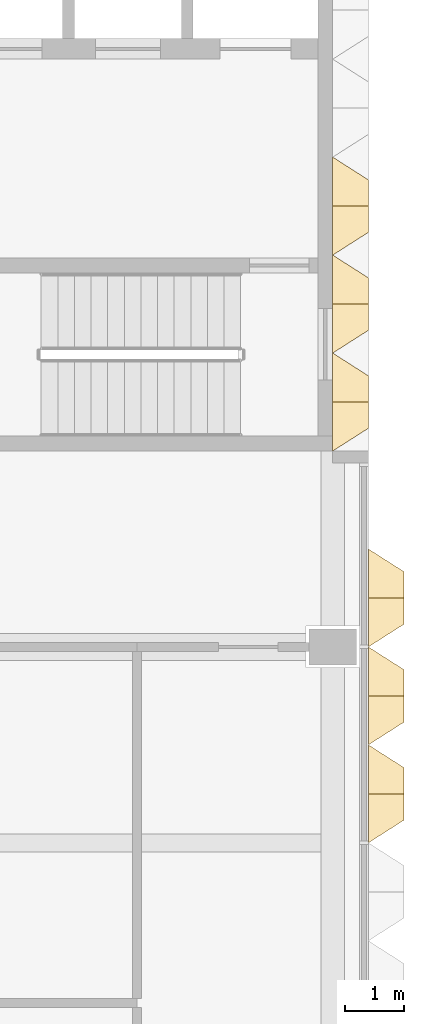
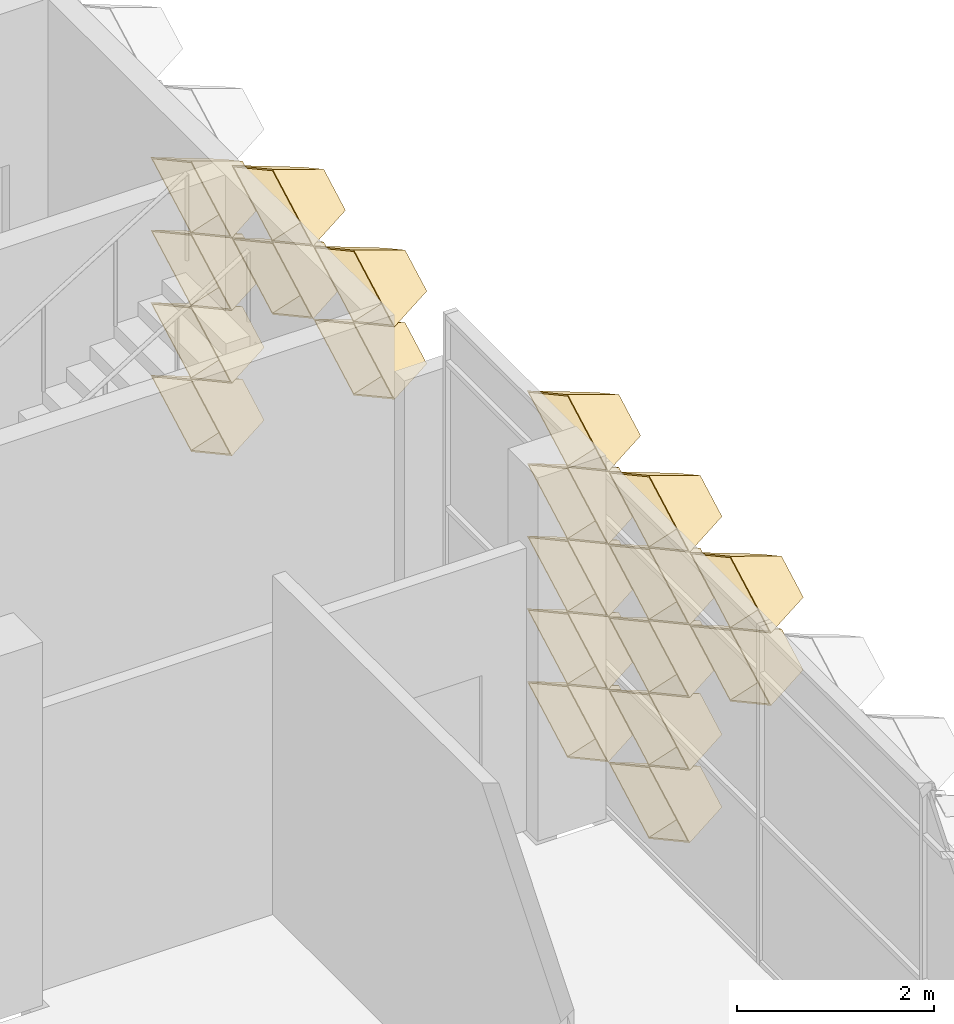
# One storey, part 65 of 85: 20 coverings.
"""IFC4 building model written with IfcOpenShell, lengths in metres."""

from ifc_helpers import new_model, entity, si_unit, direction, frame, origin, place, context, subcontext, project, spatial, material, layer, layer_set, type_object, element, save


model = new_model("IFC4")

# Units and contexts
model_context = context("Model", 3, precision=1e-05, world=origin(), true_north=direction((0.0, 1.0)))
body_context = subcontext(model_context, "Body", "Model", "MODEL_VIEW")
ifc_project = project(units=[si_unit("LENGTHUNIT", "METRE"), si_unit("AREAUNIT", "SQUARE_METRE"), si_unit("VOLUMEUNIT", "CUBIC_METRE"), si_unit("PLANEANGLEUNIT", "RADIAN"), si_unit("MASSUNIT", "GRAM", prefix="KILO")], contexts=[model_context])

# Site, building, storey
site_placement = place(None, origin())
site = spatial("IfcSite", under=ifc_project, at=site_placement, CompositionType="ELEMENT")
building_placement = place(site_placement, origin())
building = spatial("IfcBuilding", under=site, at=building_placement, Name="Lantern Court Research Institute", CompositionType="ELEMENT")
storey_placement = place(building_placement, frame((0.0, 0.0, 18.89990234375)))
storey = spatial("IfcBuildingStorey", under=building, at=storey_placement, Name="L04", CompositionType="ELEMENT", Elevation=18.89990234375)

# Coverings
ifc_material = material(Name="Anodised aluminium", Category="aluminium")
ifc_layer = layer(ifc_material, 0.01611328125)
ifc_layer_set = layer_set([ifc_layer], Name="Anodised aluminium")
covering_type = type_object("IfcCoveringType", Name="Fin cassette 1650 x 900 x 600 aluminium", PredefinedType="CLADDING", material=ifc_layer_set)
covering_1_placement = place(storey_placement, frame((79.199951171875, 17.324951171875, 0.4501953125), z_axis=(1.0, 0.0, 0.0), x_axis=(0.0, 1.0, 0.0)))
cartesian_point_1 = entity("IfcCartesianPoint", [0.824951171875, 0.0])
cartesian_point_2 = entity("IfcCartesianPoint", [0.79150390625, 0.0])
cartesian_point_3 = entity("IfcCartesianPoint", [0.44189453125, 0.0])
cartesian_point_4 = entity("IfcCartesianPoint", [0.43359375, 0.0])
element("IfcCovering", 1, at=covering_1_placement, inside=storey, type_object=covering_type, Name="Fin cassette V5E-L04 1.11", PredefinedType="CLADDING", context=body_context, shape_type="SweptSolid", body=[
    entity("IfcExtrudedAreaSolidTapered", entity("IfcArbitraryProfileDefWithVoids", "AREA", None, entity("IfcPolyline", [cartesian_point_1, entity("IfcCartesianPoint", [0.0, 0.449951171875]), entity("IfcCartesianPoint", [-0.824951171875, 0.0]), entity("IfcCartesianPoint", [0.0, -0.449951171875]), cartesian_point_1]), [entity("IfcPolyline", [cartesian_point_2, entity("IfcCartesianPoint", [0.0, 0.431884765625]), entity("IfcCartesianPoint", [-0.79150390625, 0.0]), entity("IfcCartesianPoint", [0.0, -0.431884765625]), cartesian_point_2])]), entity("IfcAxis2Placement3D", entity("IfcCartesianPoint", [0.0, 0.0, 0.0])), entity("IfcDirection", [0.0, 0.0, 1.0]), 0.60009765625, entity("IfcArbitraryProfileDefWithVoids", "AREA", None, entity("IfcPolyline", [cartesian_point_3, entity("IfcCartesianPoint", [0.0, 0.240966796875]), entity("IfcCartesianPoint", [-0.44189453125, 0.0]), entity("IfcCartesianPoint", [0.0, -0.240966796875]), cartesian_point_3]), [entity("IfcPolyline", [cartesian_point_4, entity("IfcCartesianPoint", [0.0, 0.236572265625]), entity("IfcCartesianPoint", [-0.43359375, 0.0]), entity("IfcCartesianPoint", [0.0, -0.236572265625]), cartesian_point_4])])),
])
covering_2_placement = place(storey_placement, frame((79.199951171875, 17.324951171875, 1.35009765625), z_axis=(1.0, 0.0, 0.0), x_axis=(0.0, 1.0, 0.0)))
cartesian_point_5 = entity("IfcCartesianPoint", [0.824951171875, 0.0])
cartesian_point_6 = entity("IfcCartesianPoint", [0.79150390625, 0.0])
cartesian_point_7 = entity("IfcCartesianPoint", [0.44189453125, 0.0])
cartesian_point_8 = entity("IfcCartesianPoint", [0.43359375, 0.0])
element("IfcCovering", 2, at=covering_2_placement, inside=storey, type_object=covering_type, Name="Fin cassette V5E-L04 2.11", PredefinedType="CLADDING", context=body_context, shape_type="SweptSolid", body=[
    entity("IfcExtrudedAreaSolidTapered", entity("IfcArbitraryProfileDefWithVoids", "AREA", None, entity("IfcPolyline", [cartesian_point_5, entity("IfcCartesianPoint", [0.0, 0.449951171875]), entity("IfcCartesianPoint", [-0.824951171875, 0.0]), entity("IfcCartesianPoint", [0.0, -0.449951171875]), cartesian_point_5]), [entity("IfcPolyline", [cartesian_point_6, entity("IfcCartesianPoint", [0.0, 0.431884765625]), entity("IfcCartesianPoint", [-0.79150390625, 0.0]), entity("IfcCartesianPoint", [0.0, -0.431884765625]), cartesian_point_6])]), entity("IfcAxis2Placement3D", entity("IfcCartesianPoint", [0.0, 0.0, 0.0])), entity("IfcDirection", [0.0, 0.0, 1.0]), 0.60009765625, entity("IfcArbitraryProfileDefWithVoids", "AREA", None, entity("IfcPolyline", [cartesian_point_7, entity("IfcCartesianPoint", [0.0, 0.240966796875]), entity("IfcCartesianPoint", [-0.44189453125, 0.0]), entity("IfcCartesianPoint", [0.0, -0.240966796875]), cartesian_point_7]), [entity("IfcPolyline", [cartesian_point_8, entity("IfcCartesianPoint", [0.0, 0.236572265625]), entity("IfcCartesianPoint", [-0.43359375, 0.0]), entity("IfcCartesianPoint", [0.0, -0.236572265625]), cartesian_point_8])])),
])
covering_3_placement = place(storey_placement, frame((79.199951171875, 17.324951171875, 2.25), z_axis=(1.0, 0.0, 0.0), x_axis=(0.0, 1.0, 0.0)))
cartesian_point_9 = entity("IfcCartesianPoint", [0.824951171875, 0.0])
cartesian_point_10 = entity("IfcCartesianPoint", [0.79150390625, 0.0])
cartesian_point_11 = entity("IfcCartesianPoint", [0.44189453125, 0.0])
cartesian_point_12 = entity("IfcCartesianPoint", [0.43359375, 0.0])
element("IfcCovering", 3, at=covering_3_placement, inside=storey, type_object=covering_type, Name="Fin cassette V5E-L04 3.11", PredefinedType="CLADDING", context=body_context, shape_type="SweptSolid", body=[
    entity("IfcExtrudedAreaSolidTapered", entity("IfcArbitraryProfileDefWithVoids", "AREA", None, entity("IfcPolyline", [cartesian_point_9, entity("IfcCartesianPoint", [0.0, 0.449951171875]), entity("IfcCartesianPoint", [-0.824951171875, 0.0]), entity("IfcCartesianPoint", [0.0, -0.449951171875]), cartesian_point_9]), [entity("IfcPolyline", [cartesian_point_10, entity("IfcCartesianPoint", [0.0, 0.431884765625]), entity("IfcCartesianPoint", [-0.79150390625, 0.0]), entity("IfcCartesianPoint", [0.0, -0.431884765625]), cartesian_point_10])]), entity("IfcAxis2Placement3D", entity("IfcCartesianPoint", [0.0, 0.0, 0.0])), entity("IfcDirection", [0.0, 0.0, 1.0]), 0.60009765625, entity("IfcArbitraryProfileDefWithVoids", "AREA", None, entity("IfcPolyline", [cartesian_point_11, entity("IfcCartesianPoint", [0.0, 0.240966796875]), entity("IfcCartesianPoint", [-0.44189453125, 0.0]), entity("IfcCartesianPoint", [0.0, -0.240966796875]), cartesian_point_11]), [entity("IfcPolyline", [cartesian_point_12, entity("IfcCartesianPoint", [0.0, 0.236572265625]), entity("IfcCartesianPoint", [-0.43359375, 0.0]), entity("IfcCartesianPoint", [0.0, -0.236572265625]), cartesian_point_12])])),
])
covering_4_placement = place(storey_placement, frame((79.199951171875, 14.02490234375, 3.150146484375), z_axis=(1.0, 0.0, 0.0), x_axis=(0.0, 1.0, 0.0)))
cartesian_point_13 = entity("IfcCartesianPoint", [0.824951171875, 0.0])
cartesian_point_14 = entity("IfcCartesianPoint", [0.79150390625, 0.0])
cartesian_point_15 = entity("IfcCartesianPoint", [0.44189453125, 0.0])
cartesian_point_16 = entity("IfcCartesianPoint", [0.43359375, 0.0])
element("IfcCovering", 4, at=covering_4_placement, inside=storey, type_object=covering_type, Name="Fin cassette V5E-L04 4.9", PredefinedType="CLADDING", context=body_context, shape_type="SweptSolid", body=[
    entity("IfcExtrudedAreaSolidTapered", entity("IfcArbitraryProfileDefWithVoids", "AREA", None, entity("IfcPolyline", [cartesian_point_13, entity("IfcCartesianPoint", [0.0, 0.449951171875]), entity("IfcCartesianPoint", [-0.824951171875, 0.0]), entity("IfcCartesianPoint", [0.0, -0.449951171875]), cartesian_point_13]), [entity("IfcPolyline", [cartesian_point_14, entity("IfcCartesianPoint", [0.0, 0.431884765625]), entity("IfcCartesianPoint", [-0.79150390625, 0.0]), entity("IfcCartesianPoint", [0.0, -0.431884765625]), cartesian_point_14])]), entity("IfcAxis2Placement3D", entity("IfcCartesianPoint", [0.0, 0.0, 0.0])), entity("IfcDirection", [0.0, 0.0, 1.0]), 0.60009765625, entity("IfcArbitraryProfileDefWithVoids", "AREA", None, entity("IfcPolyline", [cartesian_point_15, entity("IfcCartesianPoint", [0.0, 0.240966796875]), entity("IfcCartesianPoint", [-0.44189453125, 0.0]), entity("IfcCartesianPoint", [0.0, -0.240966796875]), cartesian_point_15]), [entity("IfcPolyline", [cartesian_point_16, entity("IfcCartesianPoint", [0.0, 0.236572265625]), entity("IfcCartesianPoint", [-0.43359375, 0.0]), entity("IfcCartesianPoint", [0.0, -0.236572265625]), cartesian_point_16])])),
])
covering_5_placement = place(storey_placement, frame((79.199951171875, 15.675048828125, 3.150146484375), z_axis=(1.0, 0.0, 0.0), x_axis=(0.0, 1.0, 0.0)))
cartesian_point_17 = entity("IfcCartesianPoint", [0.824951171875, 0.0])
cartesian_point_18 = entity("IfcCartesianPoint", [0.79150390625, 0.0])
cartesian_point_19 = entity("IfcCartesianPoint", [0.44189453125, 0.0])
cartesian_point_20 = entity("IfcCartesianPoint", [0.43359375, 0.0])
element("IfcCovering", 5, at=covering_5_placement, inside=storey, type_object=covering_type, Name="Fin cassette V5E-L04 4.10", PredefinedType="CLADDING", context=body_context, shape_type="SweptSolid", body=[
    entity("IfcExtrudedAreaSolidTapered", entity("IfcArbitraryProfileDefWithVoids", "AREA", None, entity("IfcPolyline", [cartesian_point_17, entity("IfcCartesianPoint", [0.0, 0.449951171875]), entity("IfcCartesianPoint", [-0.824951171875, 0.0]), entity("IfcCartesianPoint", [0.0, -0.449951171875]), cartesian_point_17]), [entity("IfcPolyline", [cartesian_point_18, entity("IfcCartesianPoint", [0.0, 0.431884765625]), entity("IfcCartesianPoint", [-0.79150390625, 0.0]), entity("IfcCartesianPoint", [0.0, -0.431884765625]), cartesian_point_18])]), entity("IfcAxis2Placement3D", entity("IfcCartesianPoint", [0.0, 0.0, 0.0])), entity("IfcDirection", [0.0, 0.0, 1.0]), 0.60009765625, entity("IfcArbitraryProfileDefWithVoids", "AREA", None, entity("IfcPolyline", [cartesian_point_19, entity("IfcCartesianPoint", [0.0, 0.240966796875]), entity("IfcCartesianPoint", [-0.44189453125, 0.0]), entity("IfcCartesianPoint", [0.0, -0.240966796875]), cartesian_point_19]), [entity("IfcPolyline", [cartesian_point_20, entity("IfcCartesianPoint", [0.0, 0.236572265625]), entity("IfcCartesianPoint", [-0.43359375, 0.0]), entity("IfcCartesianPoint", [0.0, -0.236572265625]), cartesian_point_20])])),
])
covering_6_placement = place(storey_placement, frame((79.199951171875, 17.324951171875, 3.150146484375), z_axis=(1.0, 0.0, 0.0), x_axis=(0.0, 1.0, 0.0)))
cartesian_point_21 = entity("IfcCartesianPoint", [0.824951171875, 0.0])
cartesian_point_22 = entity("IfcCartesianPoint", [0.79150390625, 0.0])
cartesian_point_23 = entity("IfcCartesianPoint", [0.44189453125, 0.0])
cartesian_point_24 = entity("IfcCartesianPoint", [0.43359375, 0.0])
element("IfcCovering", 6, at=covering_6_placement, inside=storey, type_object=covering_type, Name="Fin cassette V5E-L04 4.11", PredefinedType="CLADDING", context=body_context, shape_type="SweptSolid", body=[
    entity("IfcExtrudedAreaSolidTapered", entity("IfcArbitraryProfileDefWithVoids", "AREA", None, entity("IfcPolyline", [cartesian_point_21, entity("IfcCartesianPoint", [0.0, 0.449951171875]), entity("IfcCartesianPoint", [-0.824951171875, 0.0]), entity("IfcCartesianPoint", [0.0, -0.449951171875]), cartesian_point_21]), [entity("IfcPolyline", [cartesian_point_22, entity("IfcCartesianPoint", [0.0, 0.431884765625]), entity("IfcCartesianPoint", [-0.79150390625, 0.0]), entity("IfcCartesianPoint", [0.0, -0.431884765625]), cartesian_point_22])]), entity("IfcAxis2Placement3D", entity("IfcCartesianPoint", [0.0, 0.0, 0.0])), entity("IfcDirection", [0.0, 0.0, 1.0]), 0.60009765625, entity("IfcArbitraryProfileDefWithVoids", "AREA", None, entity("IfcPolyline", [cartesian_point_23, entity("IfcCartesianPoint", [0.0, 0.240966796875]), entity("IfcCartesianPoint", [-0.44189453125, 0.0]), entity("IfcCartesianPoint", [0.0, -0.240966796875]), cartesian_point_23]), [entity("IfcPolyline", [cartesian_point_24, entity("IfcCartesianPoint", [0.0, 0.236572265625]), entity("IfcCartesianPoint", [-0.43359375, 0.0]), entity("IfcCartesianPoint", [0.0, -0.236572265625]), cartesian_point_24])])),
])
covering_7_placement = place(storey_placement, frame((79.199951171875, 14.02490234375, 4.050048828125), z_axis=(1.0, 0.0, 0.0), x_axis=(0.0, 1.0, 0.0)))
cartesian_point_25 = entity("IfcCartesianPoint", [0.824951171875, 0.0])
cartesian_point_26 = entity("IfcCartesianPoint", [0.79150390625, 0.0])
cartesian_point_27 = entity("IfcCartesianPoint", [0.44189453125, 0.0])
cartesian_point_28 = entity("IfcCartesianPoint", [0.43359375, 0.0])
element("IfcCovering", 7, at=covering_7_placement, inside=storey, type_object=covering_type, Name="Fin cassette V5E-L04 5.9", PredefinedType="CLADDING", context=body_context, shape_type="SweptSolid", body=[
    entity("IfcExtrudedAreaSolidTapered", entity("IfcArbitraryProfileDefWithVoids", "AREA", None, entity("IfcPolyline", [cartesian_point_25, entity("IfcCartesianPoint", [0.0, 0.449951171875]), entity("IfcCartesianPoint", [-0.824951171875, 0.0]), entity("IfcCartesianPoint", [0.0, -0.449951171875]), cartesian_point_25]), [entity("IfcPolyline", [cartesian_point_26, entity("IfcCartesianPoint", [0.0, 0.431884765625]), entity("IfcCartesianPoint", [-0.79150390625, 0.0]), entity("IfcCartesianPoint", [0.0, -0.431884765625]), cartesian_point_26])]), entity("IfcAxis2Placement3D", entity("IfcCartesianPoint", [0.0, 0.0, 0.0])), entity("IfcDirection", [0.0, 0.0, 1.0]), 0.60009765625, entity("IfcArbitraryProfileDefWithVoids", "AREA", None, entity("IfcPolyline", [cartesian_point_27, entity("IfcCartesianPoint", [0.0, 0.240966796875]), entity("IfcCartesianPoint", [-0.44189453125, 0.0]), entity("IfcCartesianPoint", [0.0, -0.240966796875]), cartesian_point_27]), [entity("IfcPolyline", [cartesian_point_28, entity("IfcCartesianPoint", [0.0, 0.236572265625]), entity("IfcCartesianPoint", [-0.43359375, 0.0]), entity("IfcCartesianPoint", [0.0, -0.236572265625]), cartesian_point_28])])),
])
covering_8_placement = place(storey_placement, frame((79.199951171875, 15.675048828125, 4.050048828125), z_axis=(1.0, 0.0, 0.0), x_axis=(0.0, 1.0, 0.0)))
cartesian_point_29 = entity("IfcCartesianPoint", [0.824951171875, 0.0])
cartesian_point_30 = entity("IfcCartesianPoint", [0.79150390625, 0.0])
cartesian_point_31 = entity("IfcCartesianPoint", [0.44189453125, 0.0])
cartesian_point_32 = entity("IfcCartesianPoint", [0.43359375, 0.0])
element("IfcCovering", 8, at=covering_8_placement, inside=storey, type_object=covering_type, Name="Fin cassette V5E-L04 5.10", PredefinedType="CLADDING", context=body_context, shape_type="SweptSolid", body=[
    entity("IfcExtrudedAreaSolidTapered", entity("IfcArbitraryProfileDefWithVoids", "AREA", None, entity("IfcPolyline", [cartesian_point_29, entity("IfcCartesianPoint", [0.0, 0.449951171875]), entity("IfcCartesianPoint", [-0.824951171875, 0.0]), entity("IfcCartesianPoint", [0.0, -0.449951171875]), cartesian_point_29]), [entity("IfcPolyline", [cartesian_point_30, entity("IfcCartesianPoint", [0.0, 0.431884765625]), entity("IfcCartesianPoint", [-0.79150390625, 0.0]), entity("IfcCartesianPoint", [0.0, -0.431884765625]), cartesian_point_30])]), entity("IfcAxis2Placement3D", entity("IfcCartesianPoint", [0.0, 0.0, 0.0])), entity("IfcDirection", [0.0, 0.0, 1.0]), 0.60009765625, entity("IfcArbitraryProfileDefWithVoids", "AREA", None, entity("IfcPolyline", [cartesian_point_31, entity("IfcCartesianPoint", [0.0, 0.240966796875]), entity("IfcCartesianPoint", [-0.44189453125, 0.0]), entity("IfcCartesianPoint", [0.0, -0.240966796875]), cartesian_point_31]), [entity("IfcPolyline", [cartesian_point_32, entity("IfcCartesianPoint", [0.0, 0.236572265625]), entity("IfcCartesianPoint", [-0.43359375, 0.0]), entity("IfcCartesianPoint", [0.0, -0.236572265625]), cartesian_point_32])])),
])
covering_9_placement = place(storey_placement, frame((79.800048828125, 9.074951171875, 0.4501953125), z_axis=(1.0, 0.0, 0.0), x_axis=(0.0, 1.0, 0.0)))
cartesian_point_33 = entity("IfcCartesianPoint", [0.824951171875, 0.0])
cartesian_point_34 = entity("IfcCartesianPoint", [0.79150390625, 0.0])
cartesian_point_35 = entity("IfcCartesianPoint", [0.44189453125, 0.0])
cartesian_point_36 = entity("IfcCartesianPoint", [0.43359375, 0.0])
element("IfcCovering", 9, at=covering_9_placement, inside=storey, type_object=covering_type, Name="Fin cassette V5E-L04 1.6", PredefinedType="CLADDING", context=body_context, shape_type="SweptSolid", body=[
    entity("IfcExtrudedAreaSolidTapered", entity("IfcArbitraryProfileDefWithVoids", "AREA", None, entity("IfcPolyline", [cartesian_point_33, entity("IfcCartesianPoint", [0.0, 0.449951171875]), entity("IfcCartesianPoint", [-0.824951171875, 0.0]), entity("IfcCartesianPoint", [0.0, -0.449951171875]), cartesian_point_33]), [entity("IfcPolyline", [cartesian_point_34, entity("IfcCartesianPoint", [0.0, 0.431884765625]), entity("IfcCartesianPoint", [-0.79150390625, 0.0]), entity("IfcCartesianPoint", [0.0, -0.431884765625]), cartesian_point_34])]), entity("IfcAxis2Placement3D", entity("IfcCartesianPoint", [0.0, 0.0, 0.0])), entity("IfcDirection", [0.0, 0.0, 1.0]), 0.60009765625, entity("IfcArbitraryProfileDefWithVoids", "AREA", None, entity("IfcPolyline", [cartesian_point_35, entity("IfcCartesianPoint", [0.0, 0.240966796875]), entity("IfcCartesianPoint", [-0.44189453125, 0.0]), entity("IfcCartesianPoint", [0.0, -0.240966796875]), cartesian_point_35]), [entity("IfcPolyline", [cartesian_point_36, entity("IfcCartesianPoint", [0.0, 0.236572265625]), entity("IfcCartesianPoint", [-0.43359375, 0.0]), entity("IfcCartesianPoint", [0.0, -0.236572265625]), cartesian_point_36])])),
])
covering_10_placement = place(storey_placement, frame((79.800048828125, 10.72509765625, 0.4501953125), z_axis=(1.0, 0.0, 0.0), x_axis=(0.0, 1.0, 0.0)))
cartesian_point_37 = entity("IfcCartesianPoint", [0.824951171875, 0.0])
cartesian_point_38 = entity("IfcCartesianPoint", [0.79150390625, 0.0])
cartesian_point_39 = entity("IfcCartesianPoint", [0.44189453125, 0.0])
cartesian_point_40 = entity("IfcCartesianPoint", [0.43359375, 0.0])
element("IfcCovering", 10, at=covering_10_placement, inside=storey, type_object=covering_type, Name="Fin cassette V5E-L04 1.7", PredefinedType="CLADDING", context=body_context, shape_type="SweptSolid", body=[
    entity("IfcExtrudedAreaSolidTapered", entity("IfcArbitraryProfileDefWithVoids", "AREA", None, entity("IfcPolyline", [cartesian_point_37, entity("IfcCartesianPoint", [0.0, 0.449951171875]), entity("IfcCartesianPoint", [-0.824951171875, 0.0]), entity("IfcCartesianPoint", [0.0, -0.449951171875]), cartesian_point_37]), [entity("IfcPolyline", [cartesian_point_38, entity("IfcCartesianPoint", [0.0, 0.431884765625]), entity("IfcCartesianPoint", [-0.79150390625, 0.0]), entity("IfcCartesianPoint", [0.0, -0.431884765625]), cartesian_point_38])]), entity("IfcAxis2Placement3D", entity("IfcCartesianPoint", [0.0, 0.0, 0.0])), entity("IfcDirection", [0.0, 0.0, 1.0]), 0.60009765625, entity("IfcArbitraryProfileDefWithVoids", "AREA", None, entity("IfcPolyline", [cartesian_point_39, entity("IfcCartesianPoint", [0.0, 0.240966796875]), entity("IfcCartesianPoint", [-0.44189453125, 0.0]), entity("IfcCartesianPoint", [0.0, -0.240966796875]), cartesian_point_39]), [entity("IfcPolyline", [cartesian_point_40, entity("IfcCartesianPoint", [0.0, 0.236572265625]), entity("IfcCartesianPoint", [-0.43359375, 0.0]), entity("IfcCartesianPoint", [0.0, -0.236572265625]), cartesian_point_40])])),
])
covering_11_placement = place(storey_placement, frame((79.800048828125, 9.074951171875, 1.35009765625), z_axis=(1.0, 0.0, 0.0), x_axis=(0.0, 1.0, 0.0)))
cartesian_point_41 = entity("IfcCartesianPoint", [0.824951171875, 0.0])
cartesian_point_42 = entity("IfcCartesianPoint", [0.79150390625, 0.0])
cartesian_point_43 = entity("IfcCartesianPoint", [0.44189453125, 0.0])
cartesian_point_44 = entity("IfcCartesianPoint", [0.43359375, 0.0])
element("IfcCovering", 11, at=covering_11_placement, inside=storey, type_object=covering_type, Name="Fin cassette V5E-L04 2.6", PredefinedType="CLADDING", context=body_context, shape_type="SweptSolid", body=[
    entity("IfcExtrudedAreaSolidTapered", entity("IfcArbitraryProfileDefWithVoids", "AREA", None, entity("IfcPolyline", [cartesian_point_41, entity("IfcCartesianPoint", [0.0, 0.449951171875]), entity("IfcCartesianPoint", [-0.824951171875, 0.0]), entity("IfcCartesianPoint", [0.0, -0.449951171875]), cartesian_point_41]), [entity("IfcPolyline", [cartesian_point_42, entity("IfcCartesianPoint", [0.0, 0.431884765625]), entity("IfcCartesianPoint", [-0.79150390625, 0.0]), entity("IfcCartesianPoint", [0.0, -0.431884765625]), cartesian_point_42])]), entity("IfcAxis2Placement3D", entity("IfcCartesianPoint", [0.0, 0.0, 0.0])), entity("IfcDirection", [0.0, 0.0, 1.0]), 0.60009765625, entity("IfcArbitraryProfileDefWithVoids", "AREA", None, entity("IfcPolyline", [cartesian_point_43, entity("IfcCartesianPoint", [0.0, 0.240966796875]), entity("IfcCartesianPoint", [-0.44189453125, 0.0]), entity("IfcCartesianPoint", [0.0, -0.240966796875]), cartesian_point_43]), [entity("IfcPolyline", [cartesian_point_44, entity("IfcCartesianPoint", [0.0, 0.236572265625]), entity("IfcCartesianPoint", [-0.43359375, 0.0]), entity("IfcCartesianPoint", [0.0, -0.236572265625]), cartesian_point_44])])),
])
covering_12_placement = place(storey_placement, frame((79.800048828125, 10.72509765625, 1.35009765625), z_axis=(1.0, 0.0, 0.0), x_axis=(0.0, 1.0, 0.0)))
cartesian_point_45 = entity("IfcCartesianPoint", [0.824951171875, 0.0])
cartesian_point_46 = entity("IfcCartesianPoint", [0.79150390625, 0.0])
cartesian_point_47 = entity("IfcCartesianPoint", [0.44189453125, 0.0])
cartesian_point_48 = entity("IfcCartesianPoint", [0.43359375, 0.0])
element("IfcCovering", 12, at=covering_12_placement, inside=storey, type_object=covering_type, Name="Fin cassette V5E-L04 2.7", PredefinedType="CLADDING", context=body_context, shape_type="SweptSolid", body=[
    entity("IfcExtrudedAreaSolidTapered", entity("IfcArbitraryProfileDefWithVoids", "AREA", None, entity("IfcPolyline", [cartesian_point_45, entity("IfcCartesianPoint", [0.0, 0.449951171875]), entity("IfcCartesianPoint", [-0.824951171875, 0.0]), entity("IfcCartesianPoint", [0.0, -0.449951171875]), cartesian_point_45]), [entity("IfcPolyline", [cartesian_point_46, entity("IfcCartesianPoint", [0.0, 0.431884765625]), entity("IfcCartesianPoint", [-0.79150390625, 0.0]), entity("IfcCartesianPoint", [0.0, -0.431884765625]), cartesian_point_46])]), entity("IfcAxis2Placement3D", entity("IfcCartesianPoint", [0.0, 0.0, 0.0])), entity("IfcDirection", [0.0, 0.0, 1.0]), 0.60009765625, entity("IfcArbitraryProfileDefWithVoids", "AREA", None, entity("IfcPolyline", [cartesian_point_47, entity("IfcCartesianPoint", [0.0, 0.240966796875]), entity("IfcCartesianPoint", [-0.44189453125, 0.0]), entity("IfcCartesianPoint", [0.0, -0.240966796875]), cartesian_point_47]), [entity("IfcPolyline", [cartesian_point_48, entity("IfcCartesianPoint", [0.0, 0.236572265625]), entity("IfcCartesianPoint", [-0.43359375, 0.0]), entity("IfcCartesianPoint", [0.0, -0.236572265625]), cartesian_point_48])])),
])
covering_13_placement = place(storey_placement, frame((79.800048828125, 9.074951171875, 2.25), z_axis=(1.0, 0.0, 0.0), x_axis=(0.0, 1.0, 0.0)))
cartesian_point_49 = entity("IfcCartesianPoint", [0.824951171875, 0.0])
cartesian_point_50 = entity("IfcCartesianPoint", [0.79150390625, 0.0])
cartesian_point_51 = entity("IfcCartesianPoint", [0.44189453125, 0.0])
cartesian_point_52 = entity("IfcCartesianPoint", [0.43359375, 0.0])
element("IfcCovering", 13, at=covering_13_placement, inside=storey, type_object=covering_type, Name="Fin cassette V5E-L04 3.6", PredefinedType="CLADDING", context=body_context, shape_type="SweptSolid", body=[
    entity("IfcExtrudedAreaSolidTapered", entity("IfcArbitraryProfileDefWithVoids", "AREA", None, entity("IfcPolyline", [cartesian_point_49, entity("IfcCartesianPoint", [0.0, 0.449951171875]), entity("IfcCartesianPoint", [-0.824951171875, 0.0]), entity("IfcCartesianPoint", [0.0, -0.449951171875]), cartesian_point_49]), [entity("IfcPolyline", [cartesian_point_50, entity("IfcCartesianPoint", [0.0, 0.431884765625]), entity("IfcCartesianPoint", [-0.79150390625, 0.0]), entity("IfcCartesianPoint", [0.0, -0.431884765625]), cartesian_point_50])]), entity("IfcAxis2Placement3D", entity("IfcCartesianPoint", [0.0, 0.0, 0.0])), entity("IfcDirection", [0.0, 0.0, 1.0]), 0.60009765625, entity("IfcArbitraryProfileDefWithVoids", "AREA", None, entity("IfcPolyline", [cartesian_point_51, entity("IfcCartesianPoint", [0.0, 0.240966796875]), entity("IfcCartesianPoint", [-0.44189453125, 0.0]), entity("IfcCartesianPoint", [0.0, -0.240966796875]), cartesian_point_51]), [entity("IfcPolyline", [cartesian_point_52, entity("IfcCartesianPoint", [0.0, 0.236572265625]), entity("IfcCartesianPoint", [-0.43359375, 0.0]), entity("IfcCartesianPoint", [0.0, -0.236572265625]), cartesian_point_52])])),
])
covering_14_placement = place(storey_placement, frame((79.800048828125, 10.72509765625, 2.25), z_axis=(1.0, 0.0, 0.0), x_axis=(0.0, 1.0, 0.0)))
cartesian_point_53 = entity("IfcCartesianPoint", [0.824951171875, 0.0])
cartesian_point_54 = entity("IfcCartesianPoint", [0.79150390625, 0.0])
cartesian_point_55 = entity("IfcCartesianPoint", [0.44189453125, 0.0])
cartesian_point_56 = entity("IfcCartesianPoint", [0.43359375, 0.0])
element("IfcCovering", 14, at=covering_14_placement, inside=storey, type_object=covering_type, Name="Fin cassette V5E-L04 3.7", PredefinedType="CLADDING", context=body_context, shape_type="SweptSolid", body=[
    entity("IfcExtrudedAreaSolidTapered", entity("IfcArbitraryProfileDefWithVoids", "AREA", None, entity("IfcPolyline", [cartesian_point_53, entity("IfcCartesianPoint", [0.0, 0.449951171875]), entity("IfcCartesianPoint", [-0.824951171875, 0.0]), entity("IfcCartesianPoint", [0.0, -0.449951171875]), cartesian_point_53]), [entity("IfcPolyline", [cartesian_point_54, entity("IfcCartesianPoint", [0.0, 0.431884765625]), entity("IfcCartesianPoint", [-0.79150390625, 0.0]), entity("IfcCartesianPoint", [0.0, -0.431884765625]), cartesian_point_54])]), entity("IfcAxis2Placement3D", entity("IfcCartesianPoint", [0.0, 0.0, 0.0])), entity("IfcDirection", [0.0, 0.0, 1.0]), 0.60009765625, entity("IfcArbitraryProfileDefWithVoids", "AREA", None, entity("IfcPolyline", [cartesian_point_55, entity("IfcCartesianPoint", [0.0, 0.240966796875]), entity("IfcCartesianPoint", [-0.44189453125, 0.0]), entity("IfcCartesianPoint", [0.0, -0.240966796875]), cartesian_point_55]), [entity("IfcPolyline", [cartesian_point_56, entity("IfcCartesianPoint", [0.0, 0.236572265625]), entity("IfcCartesianPoint", [-0.43359375, 0.0]), entity("IfcCartesianPoint", [0.0, -0.236572265625]), cartesian_point_56])])),
])
covering_15_placement = place(storey_placement, frame((79.800048828125, 7.425048828125, 3.150146484375), z_axis=(1.0, 0.0, 0.0), x_axis=(0.0, 1.0, 0.0)))
cartesian_point_57 = entity("IfcCartesianPoint", [0.824951171875, 0.0])
cartesian_point_58 = entity("IfcCartesianPoint", [0.79150390625, 0.0])
cartesian_point_59 = entity("IfcCartesianPoint", [0.44189453125, 0.0])
cartesian_point_60 = entity("IfcCartesianPoint", [0.43359375, 0.0])
element("IfcCovering", 15, at=covering_15_placement, inside=storey, type_object=covering_type, Name="Fin cassette V5E-L04 4.5", PredefinedType="CLADDING", context=body_context, shape_type="SweptSolid", body=[
    entity("IfcExtrudedAreaSolidTapered", entity("IfcArbitraryProfileDefWithVoids", "AREA", None, entity("IfcPolyline", [cartesian_point_57, entity("IfcCartesianPoint", [0.0, 0.449951171875]), entity("IfcCartesianPoint", [-0.824951171875, 0.0]), entity("IfcCartesianPoint", [0.0, -0.449951171875]), cartesian_point_57]), [entity("IfcPolyline", [cartesian_point_58, entity("IfcCartesianPoint", [0.0, 0.431884765625]), entity("IfcCartesianPoint", [-0.79150390625, 0.0]), entity("IfcCartesianPoint", [0.0, -0.431884765625]), cartesian_point_58])]), entity("IfcAxis2Placement3D", entity("IfcCartesianPoint", [0.0, 0.0, 0.0])), entity("IfcDirection", [0.0, 0.0, 1.0]), 0.60009765625, entity("IfcArbitraryProfileDefWithVoids", "AREA", None, entity("IfcPolyline", [cartesian_point_59, entity("IfcCartesianPoint", [0.0, 0.240966796875]), entity("IfcCartesianPoint", [-0.44189453125, 0.0]), entity("IfcCartesianPoint", [0.0, -0.240966796875]), cartesian_point_59]), [entity("IfcPolyline", [cartesian_point_60, entity("IfcCartesianPoint", [0.0, 0.236572265625]), entity("IfcCartesianPoint", [-0.43359375, 0.0]), entity("IfcCartesianPoint", [0.0, -0.236572265625]), cartesian_point_60])])),
])
covering_16_placement = place(storey_placement, frame((79.800048828125, 9.074951171875, 3.150146484375), z_axis=(1.0, 0.0, 0.0), x_axis=(0.0, 1.0, 0.0)))
cartesian_point_61 = entity("IfcCartesianPoint", [0.824951171875, 0.0])
cartesian_point_62 = entity("IfcCartesianPoint", [0.79150390625, 0.0])
cartesian_point_63 = entity("IfcCartesianPoint", [0.44189453125, 0.0])
cartesian_point_64 = entity("IfcCartesianPoint", [0.43359375, 0.0])
element("IfcCovering", 16, at=covering_16_placement, inside=storey, type_object=covering_type, Name="Fin cassette V5E-L04 4.6", PredefinedType="CLADDING", context=body_context, shape_type="SweptSolid", body=[
    entity("IfcExtrudedAreaSolidTapered", entity("IfcArbitraryProfileDefWithVoids", "AREA", None, entity("IfcPolyline", [cartesian_point_61, entity("IfcCartesianPoint", [0.0, 0.449951171875]), entity("IfcCartesianPoint", [-0.824951171875, 0.0]), entity("IfcCartesianPoint", [0.0, -0.449951171875]), cartesian_point_61]), [entity("IfcPolyline", [cartesian_point_62, entity("IfcCartesianPoint", [0.0, 0.431884765625]), entity("IfcCartesianPoint", [-0.79150390625, 0.0]), entity("IfcCartesianPoint", [0.0, -0.431884765625]), cartesian_point_62])]), entity("IfcAxis2Placement3D", entity("IfcCartesianPoint", [0.0, 0.0, 0.0])), entity("IfcDirection", [0.0, 0.0, 1.0]), 0.60009765625, entity("IfcArbitraryProfileDefWithVoids", "AREA", None, entity("IfcPolyline", [cartesian_point_63, entity("IfcCartesianPoint", [0.0, 0.240966796875]), entity("IfcCartesianPoint", [-0.44189453125, 0.0]), entity("IfcCartesianPoint", [0.0, -0.240966796875]), cartesian_point_63]), [entity("IfcPolyline", [cartesian_point_64, entity("IfcCartesianPoint", [0.0, 0.236572265625]), entity("IfcCartesianPoint", [-0.43359375, 0.0]), entity("IfcCartesianPoint", [0.0, -0.236572265625]), cartesian_point_64])])),
])
covering_17_placement = place(storey_placement, frame((79.800048828125, 10.72509765625, 3.150146484375), z_axis=(1.0, 0.0, 0.0), x_axis=(0.0, 1.0, 0.0)))
cartesian_point_65 = entity("IfcCartesianPoint", [0.824951171875, 0.0])
cartesian_point_66 = entity("IfcCartesianPoint", [0.79150390625, 0.0])
cartesian_point_67 = entity("IfcCartesianPoint", [0.44189453125, 0.0])
cartesian_point_68 = entity("IfcCartesianPoint", [0.43359375, 0.0])
element("IfcCovering", 17, at=covering_17_placement, inside=storey, type_object=covering_type, Name="Fin cassette V5E-L04 4.7", PredefinedType="CLADDING", context=body_context, shape_type="SweptSolid", body=[
    entity("IfcExtrudedAreaSolidTapered", entity("IfcArbitraryProfileDefWithVoids", "AREA", None, entity("IfcPolyline", [cartesian_point_65, entity("IfcCartesianPoint", [0.0, 0.449951171875]), entity("IfcCartesianPoint", [-0.824951171875, 0.0]), entity("IfcCartesianPoint", [0.0, -0.449951171875]), cartesian_point_65]), [entity("IfcPolyline", [cartesian_point_66, entity("IfcCartesianPoint", [0.0, 0.431884765625]), entity("IfcCartesianPoint", [-0.79150390625, 0.0]), entity("IfcCartesianPoint", [0.0, -0.431884765625]), cartesian_point_66])]), entity("IfcAxis2Placement3D", entity("IfcCartesianPoint", [0.0, 0.0, 0.0])), entity("IfcDirection", [0.0, 0.0, 1.0]), 0.60009765625, entity("IfcArbitraryProfileDefWithVoids", "AREA", None, entity("IfcPolyline", [cartesian_point_67, entity("IfcCartesianPoint", [0.0, 0.240966796875]), entity("IfcCartesianPoint", [-0.44189453125, 0.0]), entity("IfcCartesianPoint", [0.0, -0.240966796875]), cartesian_point_67]), [entity("IfcPolyline", [cartesian_point_68, entity("IfcCartesianPoint", [0.0, 0.236572265625]), entity("IfcCartesianPoint", [-0.43359375, 0.0]), entity("IfcCartesianPoint", [0.0, -0.236572265625]), cartesian_point_68])])),
])
covering_18_placement = place(storey_placement, frame((79.800048828125, 7.425048828125, 4.050048828125), z_axis=(1.0, 0.0, 0.0), x_axis=(0.0, 1.0, 0.0)))
cartesian_point_69 = entity("IfcCartesianPoint", [0.824951171875, 0.0])
cartesian_point_70 = entity("IfcCartesianPoint", [0.79150390625, 0.0])
cartesian_point_71 = entity("IfcCartesianPoint", [0.44189453125, 0.0])
cartesian_point_72 = entity("IfcCartesianPoint", [0.43359375, 0.0])
element("IfcCovering", 18, at=covering_18_placement, inside=storey, type_object=covering_type, Name="Fin cassette V5E-L04 5.5", PredefinedType="CLADDING", context=body_context, shape_type="SweptSolid", body=[
    entity("IfcExtrudedAreaSolidTapered", entity("IfcArbitraryProfileDefWithVoids", "AREA", None, entity("IfcPolyline", [cartesian_point_69, entity("IfcCartesianPoint", [0.0, 0.449951171875]), entity("IfcCartesianPoint", [-0.824951171875, 0.0]), entity("IfcCartesianPoint", [0.0, -0.449951171875]), cartesian_point_69]), [entity("IfcPolyline", [cartesian_point_70, entity("IfcCartesianPoint", [0.0, 0.431884765625]), entity("IfcCartesianPoint", [-0.79150390625, 0.0]), entity("IfcCartesianPoint", [0.0, -0.431884765625]), cartesian_point_70])]), entity("IfcAxis2Placement3D", entity("IfcCartesianPoint", [0.0, 0.0, 0.0])), entity("IfcDirection", [0.0, 0.0, 1.0]), 0.60009765625, entity("IfcArbitraryProfileDefWithVoids", "AREA", None, entity("IfcPolyline", [cartesian_point_71, entity("IfcCartesianPoint", [0.0, 0.240966796875]), entity("IfcCartesianPoint", [-0.44189453125, 0.0]), entity("IfcCartesianPoint", [0.0, -0.240966796875]), cartesian_point_71]), [entity("IfcPolyline", [cartesian_point_72, entity("IfcCartesianPoint", [0.0, 0.236572265625]), entity("IfcCartesianPoint", [-0.43359375, 0.0]), entity("IfcCartesianPoint", [0.0, -0.236572265625]), cartesian_point_72])])),
])
covering_19_placement = place(storey_placement, frame((79.800048828125, 9.074951171875, 4.050048828125), z_axis=(1.0, 0.0, 0.0), x_axis=(0.0, 1.0, 0.0)))
cartesian_point_73 = entity("IfcCartesianPoint", [0.824951171875, 0.0])
cartesian_point_74 = entity("IfcCartesianPoint", [0.79150390625, 0.0])
cartesian_point_75 = entity("IfcCartesianPoint", [0.44189453125, 0.0])
cartesian_point_76 = entity("IfcCartesianPoint", [0.43359375, 0.0])
element("IfcCovering", 19, at=covering_19_placement, inside=storey, type_object=covering_type, Name="Fin cassette V5E-L04 5.6", PredefinedType="CLADDING", context=body_context, shape_type="SweptSolid", body=[
    entity("IfcExtrudedAreaSolidTapered", entity("IfcArbitraryProfileDefWithVoids", "AREA", None, entity("IfcPolyline", [cartesian_point_73, entity("IfcCartesianPoint", [0.0, 0.449951171875]), entity("IfcCartesianPoint", [-0.824951171875, 0.0]), entity("IfcCartesianPoint", [0.0, -0.449951171875]), cartesian_point_73]), [entity("IfcPolyline", [cartesian_point_74, entity("IfcCartesianPoint", [0.0, 0.431884765625]), entity("IfcCartesianPoint", [-0.79150390625, 0.0]), entity("IfcCartesianPoint", [0.0, -0.431884765625]), cartesian_point_74])]), entity("IfcAxis2Placement3D", entity("IfcCartesianPoint", [0.0, 0.0, 0.0])), entity("IfcDirection", [0.0, 0.0, 1.0]), 0.60009765625, entity("IfcArbitraryProfileDefWithVoids", "AREA", None, entity("IfcPolyline", [cartesian_point_75, entity("IfcCartesianPoint", [0.0, 0.240966796875]), entity("IfcCartesianPoint", [-0.44189453125, 0.0]), entity("IfcCartesianPoint", [0.0, -0.240966796875]), cartesian_point_75]), [entity("IfcPolyline", [cartesian_point_76, entity("IfcCartesianPoint", [0.0, 0.236572265625]), entity("IfcCartesianPoint", [-0.43359375, 0.0]), entity("IfcCartesianPoint", [0.0, -0.236572265625]), cartesian_point_76])])),
])
covering_20_placement = place(storey_placement, frame((79.800048828125, 10.72509765625, 4.050048828125), z_axis=(1.0, 0.0, 0.0), x_axis=(0.0, 1.0, 0.0)))
cartesian_point_77 = entity("IfcCartesianPoint", [0.824951171875, 0.0])
cartesian_point_78 = entity("IfcCartesianPoint", [0.79150390625, 0.0])
cartesian_point_79 = entity("IfcCartesianPoint", [0.44189453125, 0.0])
cartesian_point_80 = entity("IfcCartesianPoint", [0.43359375, 0.0])
element("IfcCovering", 20, at=covering_20_placement, inside=storey, type_object=covering_type, Name="Fin cassette V5E-L04 5.7", PredefinedType="CLADDING", context=body_context, shape_type="SweptSolid", body=[
    entity("IfcExtrudedAreaSolidTapered", entity("IfcArbitraryProfileDefWithVoids", "AREA", None, entity("IfcPolyline", [cartesian_point_77, entity("IfcCartesianPoint", [0.0, 0.449951171875]), entity("IfcCartesianPoint", [-0.824951171875, 0.0]), entity("IfcCartesianPoint", [0.0, -0.449951171875]), cartesian_point_77]), [entity("IfcPolyline", [cartesian_point_78, entity("IfcCartesianPoint", [0.0, 0.431884765625]), entity("IfcCartesianPoint", [-0.79150390625, 0.0]), entity("IfcCartesianPoint", [0.0, -0.431884765625]), cartesian_point_78])]), entity("IfcAxis2Placement3D", entity("IfcCartesianPoint", [0.0, 0.0, 0.0])), entity("IfcDirection", [0.0, 0.0, 1.0]), 0.60009765625, entity("IfcArbitraryProfileDefWithVoids", "AREA", None, entity("IfcPolyline", [cartesian_point_79, entity("IfcCartesianPoint", [0.0, 0.240966796875]), entity("IfcCartesianPoint", [-0.44189453125, 0.0]), entity("IfcCartesianPoint", [0.0, -0.240966796875]), cartesian_point_79]), [entity("IfcPolyline", [cartesian_point_80, entity("IfcCartesianPoint", [0.0, 0.236572265625]), entity("IfcCartesianPoint", [-0.43359375, 0.0]), entity("IfcCartesianPoint", [0.0, -0.236572265625]), cartesian_point_80])])),
])

save(model, "model.ifc")
